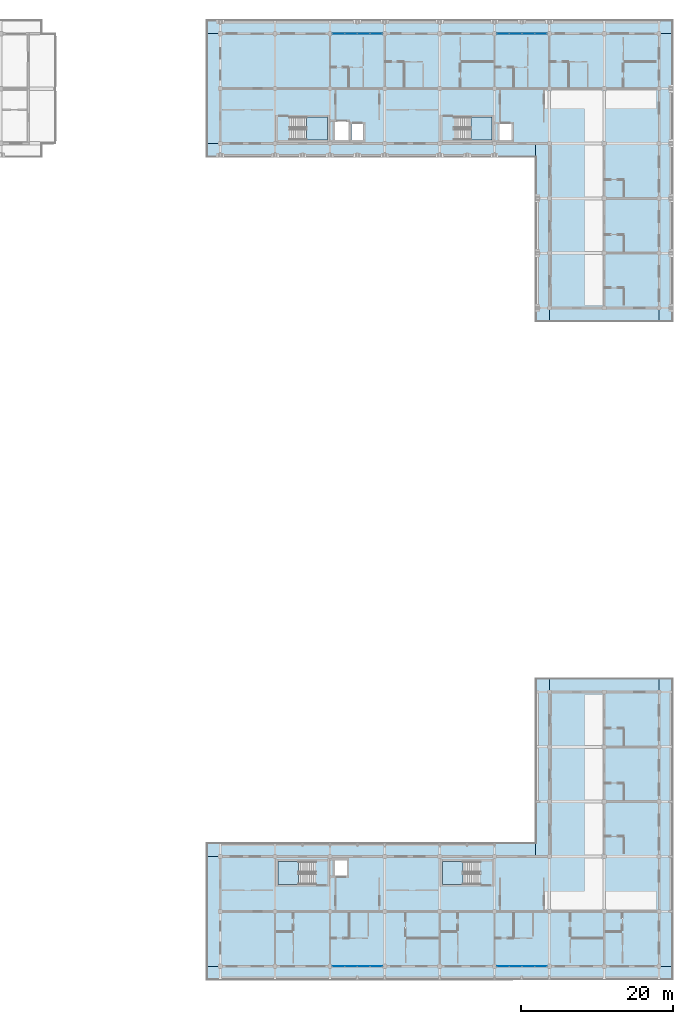
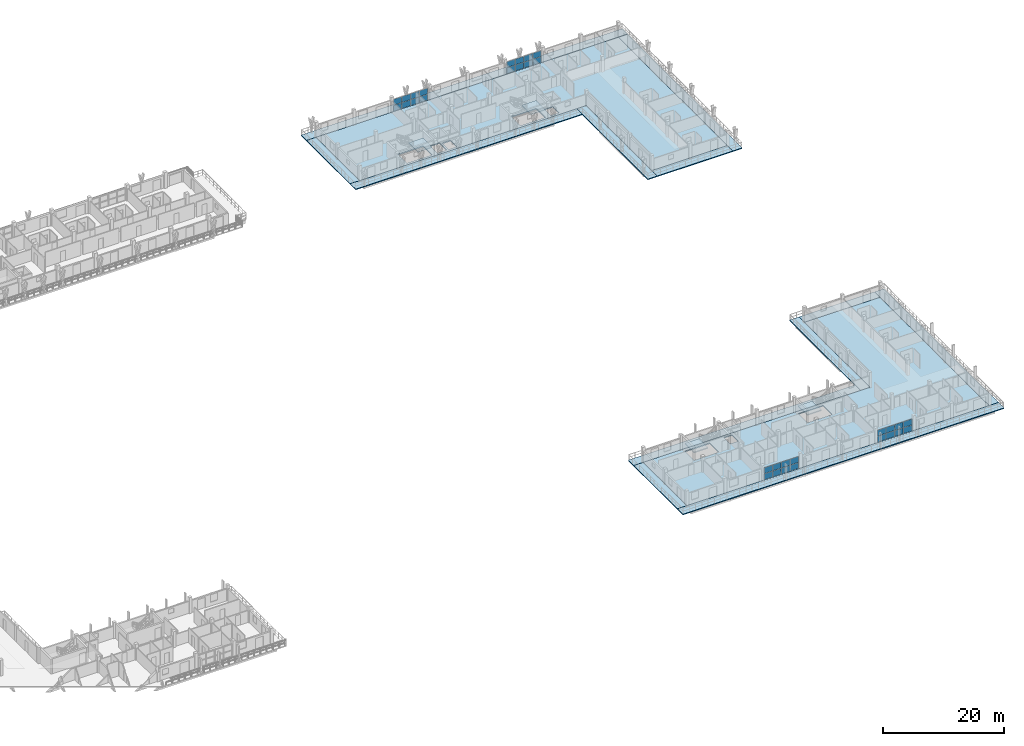
# One storey, part 31 of 67: 32 plates, 18 slabs, 8 elements without a shape of their own.
"""IFC4 building model written with IfcOpenShell, lengths in metres."""

from ifc_helpers import new_model, si_unit, direction, frame, origin, origin_2d, place, context, subcontext, project, spatial, polyline, rectangle, outline, extrude, material, layer, layer_set, type_object, element, aggregate, save


model = new_model("IFC4")

# Units and contexts
model_context = context("Model", 3, precision=1e-05, world=origin(), true_north=direction((0.0, 1.0)))
body_context = subcontext(model_context, "Body", "Model", "MODEL_VIEW")
ifc_project = project(units=[si_unit("LENGTHUNIT", "METRE"), si_unit("AREAUNIT", "SQUARE_METRE"), si_unit("VOLUMEUNIT", "CUBIC_METRE"), si_unit("PLANEANGLEUNIT", "RADIAN"), si_unit("MASSUNIT", "GRAM", prefix="KILO")], contexts=[model_context])

# Site, building, storey
site_placement = place(None, origin())
site = spatial("IfcSite", under=ifc_project, at=site_placement, CompositionType="ELEMENT")
building_placement = place(site_placement, origin())
building = spatial("IfcBuilding", under=site, at=building_placement, Name="Suanplinth Sawtooth Commons", CompositionType="ELEMENT")
storey_placement = place(building_placement, frame((0.0, 0.0, 25.10009765625)))
storey = spatial("IfcBuildingStorey", under=building, at=storey_placement, Name="L07", CompositionType="ELEMENT", Elevation=25.10009765625)

# Curtain wall, plates
ifc_material_1 = material(Name="Anodized aluminium and low-E glazing", Category="aluminium")
curtain_wall_type = type_object("IfcCurtainWallType", Name="CW-06", PredefinedType="USERDEFINED", material=ifc_material_1)
curtain_wall_1_placement = place(storey_placement, origin())
curtain_wall_1 = element("IfcCurtainWall", 1, at=curtain_wall_1_placement, inside=storey, type_object=curtain_wall_type, Name="Curtain Wall CW-L07-B-LOUNGE-20", ObjectType="CURTAIN WALL", PredefinedType="USERDEFINED")
ifc_material_2 = material(Name="Tempered low-E double glazing", Category="glass")
ifc_layer_1 = layer(ifc_material_2, 0.028076171875, Name="Vision low-E insulated glazing unit 28mm")
ifc_layer_set_1 = layer_set([ifc_layer_1], Name="Tempered low-E double glazing")
plate_type = type_object("IfcPlateType", Name="PL-05", PredefinedType="CURTAIN_PANEL", material=ifc_layer_set_1)
plate_1_placement = place(storey_placement, frame((145.12255859375, 122.39990234375, 0.06494140625), z_axis=(0.0, 0.0, 1.0), x_axis=(1.0, 0.0, 0.0)))
plate_1 = element("IfcPlate", 2, at=plate_1_placement, type_object=plate_type, Name="CW-06 panel 1.1", PredefinedType="CURTAIN_PANEL", context=body_context, shape_type="SweptSolid", body=[
    extrude(rectangle(XDim=1.56494140625, YDim=0.028076171875, at=origin_2d()), origin(), (0.0, 0.0, 1.0), 1.172607421875),
])
plate_2_placement = place(storey_placement, frame((145.12255859375, 122.39990234375, 1.30224609375), z_axis=(0.0, 0.0, 1.0), x_axis=(1.0, 0.0, 0.0)))
plate_2 = element("IfcPlate", 3, at=plate_2_placement, type_object=plate_type, Name="CW-06 panel 1.2", PredefinedType="CURTAIN_PANEL", context=body_context, shape_type="SweptSolid", body=[
    extrude(rectangle(XDim=1.56494140625, YDim=0.028076171875, at=origin_2d()), origin(), (0.0, 0.0, 1.0), 1.172607421875),
])
plate_3_placement = place(storey_placement, frame((146.768798828125, 122.39990234375, 0.06494140625), z_axis=(0.0, 0.0, 1.0), x_axis=(1.0, 0.0, 0.0)))
plate_3 = element("IfcPlate", 4, at=plate_3_placement, type_object=plate_type, Name="CW-06 panel 2.1", PredefinedType="CURTAIN_PANEL", context=body_context, shape_type="SweptSolid", body=[
    extrude(rectangle(XDim=1.597412109375, YDim=0.028076171875, at=origin_2d()), origin(), (0.0, 0.0, 1.0), 1.172607421875),
])
plate_4_placement = place(storey_placement, frame((146.768798828125, 122.39990234375, 1.30224609375), z_axis=(0.0, 0.0, 1.0), x_axis=(1.0, 0.0, 0.0)))
plate_4 = element("IfcPlate", 5, at=plate_4_placement, type_object=plate_type, Name="CW-06 panel 2.2", PredefinedType="CURTAIN_PANEL", context=body_context, shape_type="SweptSolid", body=[
    extrude(rectangle(XDim=1.597412109375, YDim=0.028076171875, at=origin_2d()), origin(), (0.0, 0.0, 1.0), 1.172607421875),
])
plate_5_placement = place(storey_placement, frame((148.43115234375, 122.39990234375, 0.06494140625), z_axis=(0.0, 0.0, 1.0), x_axis=(1.0, 0.0, 0.0)))
plate_5 = element("IfcPlate", 6, at=plate_5_placement, type_object=plate_type, Name="CW-06 panel 3.1", PredefinedType="CURTAIN_PANEL", context=body_context, shape_type="SweptSolid", body=[
    extrude(rectangle(XDim=1.597412109375, YDim=0.028076171875, at=origin_2d()), origin(), (0.0, 0.0, 1.0), 1.172607421875),
])
plate_6_placement = place(storey_placement, frame((148.43115234375, 122.39990234375, 1.30224609375), z_axis=(0.0, 0.0, 1.0), x_axis=(1.0, 0.0, 0.0)))
plate_6 = element("IfcPlate", 7, at=plate_6_placement, type_object=plate_type, Name="CW-06 panel 3.2", PredefinedType="CURTAIN_PANEL", context=body_context, shape_type="SweptSolid", body=[
    extrude(rectangle(XDim=1.597412109375, YDim=0.028076171875, at=origin_2d()), origin(), (0.0, 0.0, 1.0), 1.172607421875),
])
plate_7_placement = place(storey_placement, frame((150.077392578125, 122.39990234375, 0.06494140625), z_axis=(0.0, 0.0, 1.0), x_axis=(1.0, 0.0, 0.0)))
plate_7 = element("IfcPlate", 8, at=plate_7_placement, type_object=plate_type, Name="CW-06 panel 4.1", PredefinedType="CURTAIN_PANEL", context=body_context, shape_type="SweptSolid", body=[
    extrude(rectangle(XDim=1.56494140625, YDim=0.028076171875, at=origin_2d()), origin(), (0.0, 0.0, 1.0), 1.172607421875),
])
plate_8_placement = place(storey_placement, frame((150.077392578125, 122.39990234375, 1.30224609375), z_axis=(0.0, 0.0, 1.0), x_axis=(1.0, 0.0, 0.0)))
plate_8 = element("IfcPlate", 9, at=plate_8_placement, type_object=plate_type, Name="CW-06 panel 4.2", PredefinedType="CURTAIN_PANEL", context=body_context, shape_type="SweptSolid", body=[
    extrude(rectangle(XDim=1.56494140625, YDim=0.028076171875, at=origin_2d()), origin(), (0.0, 0.0, 1.0), 1.172607421875),
])
aggregate(curtain_wall_1, [plate_1, plate_2, plate_3, plate_4, plate_5, plate_6, plate_7, plate_8])

curtain_wall_2_placement = place(storey_placement, origin())
curtain_wall_2 = element("IfcCurtainWall", 10, at=curtain_wall_2_placement, inside=storey, type_object=curtain_wall_type, Name="Curtain Wall CW-L07-B-LOUNGE-23", ObjectType="CURTAIN WALL", PredefinedType="USERDEFINED")
plate_9_placement = place(storey_placement, frame((166.722412109375, 122.39990234375, 0.06494140625), z_axis=(0.0, 0.0, 1.0), x_axis=(1.0, 0.0, 0.0)))
plate_9 = element("IfcPlate", 11, at=plate_9_placement, type_object=plate_type, Name="CW-06 panel 1.1", PredefinedType="CURTAIN_PANEL", context=body_context, shape_type="SweptSolid", body=[
    extrude(rectangle(XDim=1.56494140625, YDim=0.028076171875, at=origin_2d()), origin(), (0.0, 0.0, 1.0), 1.172607421875),
])
plate_10_placement = place(storey_placement, frame((166.722412109375, 122.39990234375, 1.30224609375), z_axis=(0.0, 0.0, 1.0), x_axis=(1.0, 0.0, 0.0)))
plate_10 = element("IfcPlate", 12, at=plate_10_placement, type_object=plate_type, Name="CW-06 panel 1.2", PredefinedType="CURTAIN_PANEL", context=body_context, shape_type="SweptSolid", body=[
    extrude(rectangle(XDim=1.56494140625, YDim=0.028076171875, at=origin_2d()), origin(), (0.0, 0.0, 1.0), 1.172607421875),
])
plate_11_placement = place(storey_placement, frame((168.36865234375, 122.39990234375, 0.06494140625), z_axis=(0.0, 0.0, 1.0), x_axis=(1.0, 0.0, 0.0)))
plate_11 = element("IfcPlate", 13, at=plate_11_placement, type_object=plate_type, Name="CW-06 panel 2.1", PredefinedType="CURTAIN_PANEL", context=body_context, shape_type="SweptSolid", body=[
    extrude(rectangle(XDim=1.597412109375, YDim=0.028076171875, at=origin_2d()), origin(), (0.0, 0.0, 1.0), 1.172607421875),
])
plate_12_placement = place(storey_placement, frame((168.36865234375, 122.39990234375, 1.30224609375), z_axis=(0.0, 0.0, 1.0), x_axis=(1.0, 0.0, 0.0)))
plate_12 = element("IfcPlate", 14, at=plate_12_placement, type_object=plate_type, Name="CW-06 panel 2.2", PredefinedType="CURTAIN_PANEL", context=body_context, shape_type="SweptSolid", body=[
    extrude(rectangle(XDim=1.597412109375, YDim=0.028076171875, at=origin_2d()), origin(), (0.0, 0.0, 1.0), 1.172607421875),
])
plate_13_placement = place(storey_placement, frame((170.03125, 122.39990234375, 0.06494140625), z_axis=(0.0, 0.0, 1.0), x_axis=(1.0, 0.0, 0.0)))
plate_13 = element("IfcPlate", 15, at=plate_13_placement, type_object=plate_type, Name="CW-06 panel 3.1", PredefinedType="CURTAIN_PANEL", context=body_context, shape_type="SweptSolid", body=[
    extrude(rectangle(XDim=1.597412109375, YDim=0.028076171875, at=origin_2d()), origin(), (0.0, 0.0, 1.0), 1.172607421875),
])
plate_14_placement = place(storey_placement, frame((170.03125, 122.39990234375, 1.30224609375), z_axis=(0.0, 0.0, 1.0), x_axis=(1.0, 0.0, 0.0)))
plate_14 = element("IfcPlate", 16, at=plate_14_placement, type_object=plate_type, Name="CW-06 panel 3.2", PredefinedType="CURTAIN_PANEL", context=body_context, shape_type="SweptSolid", body=[
    extrude(rectangle(XDim=1.597412109375, YDim=0.028076171875, at=origin_2d()), origin(), (0.0, 0.0, 1.0), 1.172607421875),
])
plate_15_placement = place(storey_placement, frame((171.677490234375, 122.39990234375, 0.06494140625), z_axis=(0.0, 0.0, 1.0), x_axis=(1.0, 0.0, 0.0)))
plate_15 = element("IfcPlate", 17, at=plate_15_placement, type_object=plate_type, Name="CW-06 panel 4.1", PredefinedType="CURTAIN_PANEL", context=body_context, shape_type="SweptSolid", body=[
    extrude(rectangle(XDim=1.56494140625, YDim=0.028076171875, at=origin_2d()), origin(), (0.0, 0.0, 1.0), 1.172607421875),
])
plate_16_placement = place(storey_placement, frame((171.677490234375, 122.39990234375, 1.30224609375), z_axis=(0.0, 0.0, 1.0), x_axis=(1.0, 0.0, 0.0)))
plate_16 = element("IfcPlate", 18, at=plate_16_placement, type_object=plate_type, Name="CW-06 panel 4.2", PredefinedType="CURTAIN_PANEL", context=body_context, shape_type="SweptSolid", body=[
    extrude(rectangle(XDim=1.56494140625, YDim=0.028076171875, at=origin_2d()), origin(), (0.0, 0.0, 1.0), 1.172607421875),
])
aggregate(curtain_wall_2, [plate_9, plate_10, plate_11, plate_12, plate_13, plate_14, plate_15, plate_16])

curtain_wall_3_placement = place(storey_placement, origin())
curtain_wall_3 = element("IfcCurtainWall", 19, at=curtain_wall_3_placement, inside=storey, type_object=curtain_wall_type, Name="Curtain Wall CW-L07-C-LOUNGE-20", ObjectType="CURTAIN WALL", PredefinedType="USERDEFINED")
plate_17_placement = place(storey_placement, frame((145.12255859375, 0.0, 0.06494140625), z_axis=(0.0, 0.0, 1.0), x_axis=(1.0, 0.0, 0.0)))
plate_17 = element("IfcPlate", 20, at=plate_17_placement, type_object=plate_type, Name="CW-06 panel 1.1", PredefinedType="CURTAIN_PANEL", context=body_context, shape_type="SweptSolid", body=[
    extrude(rectangle(XDim=1.56494140625, YDim=0.028076171875, at=origin_2d()), origin(), (0.0, 0.0, 1.0), 1.172607421875),
])
plate_18_placement = place(storey_placement, frame((145.12255859375, 0.0, 1.30224609375), z_axis=(0.0, 0.0, 1.0), x_axis=(1.0, 0.0, 0.0)))
plate_18 = element("IfcPlate", 21, at=plate_18_placement, type_object=plate_type, Name="CW-06 panel 1.2", PredefinedType="CURTAIN_PANEL", context=body_context, shape_type="SweptSolid", body=[
    extrude(rectangle(XDim=1.56494140625, YDim=0.028076171875, at=origin_2d()), origin(), (0.0, 0.0, 1.0), 1.172607421875),
])
plate_19_placement = place(storey_placement, frame((146.768798828125, 0.0, 0.06494140625), z_axis=(0.0, 0.0, 1.0), x_axis=(1.0, 0.0, 0.0)))
plate_19 = element("IfcPlate", 22, at=plate_19_placement, type_object=plate_type, Name="CW-06 panel 2.1", PredefinedType="CURTAIN_PANEL", context=body_context, shape_type="SweptSolid", body=[
    extrude(rectangle(XDim=1.597412109375, YDim=0.028076171875, at=origin_2d()), origin(), (0.0, 0.0, 1.0), 1.172607421875),
])
plate_20_placement = place(storey_placement, frame((146.768798828125, 0.0, 1.30224609375), z_axis=(0.0, 0.0, 1.0), x_axis=(1.0, 0.0, 0.0)))
plate_20 = element("IfcPlate", 23, at=plate_20_placement, type_object=plate_type, Name="CW-06 panel 2.2", PredefinedType="CURTAIN_PANEL", context=body_context, shape_type="SweptSolid", body=[
    extrude(rectangle(XDim=1.597412109375, YDim=0.028076171875, at=origin_2d()), origin(), (0.0, 0.0, 1.0), 1.172607421875),
])
plate_21_placement = place(storey_placement, frame((148.43115234375, 0.0, 0.06494140625), z_axis=(0.0, 0.0, 1.0), x_axis=(1.0, 0.0, 0.0)))
plate_21 = element("IfcPlate", 24, at=plate_21_placement, type_object=plate_type, Name="CW-06 panel 3.1", PredefinedType="CURTAIN_PANEL", context=body_context, shape_type="SweptSolid", body=[
    extrude(rectangle(XDim=1.597412109375, YDim=0.028076171875, at=origin_2d()), origin(), (0.0, 0.0, 1.0), 1.172607421875),
])
plate_22_placement = place(storey_placement, frame((148.43115234375, 0.0, 1.30224609375), z_axis=(0.0, 0.0, 1.0), x_axis=(1.0, 0.0, 0.0)))
plate_22 = element("IfcPlate", 25, at=plate_22_placement, type_object=plate_type, Name="CW-06 panel 3.2", PredefinedType="CURTAIN_PANEL", context=body_context, shape_type="SweptSolid", body=[
    extrude(rectangle(XDim=1.597412109375, YDim=0.028076171875, at=origin_2d()), origin(), (0.0, 0.0, 1.0), 1.172607421875),
])
plate_23_placement = place(storey_placement, frame((150.077392578125, 0.0, 0.06494140625), z_axis=(0.0, 0.0, 1.0), x_axis=(1.0, 0.0, 0.0)))
plate_23 = element("IfcPlate", 26, at=plate_23_placement, type_object=plate_type, Name="CW-06 panel 4.1", PredefinedType="CURTAIN_PANEL", context=body_context, shape_type="SweptSolid", body=[
    extrude(rectangle(XDim=1.56494140625, YDim=0.028076171875, at=origin_2d()), origin(), (0.0, 0.0, 1.0), 1.172607421875),
])
plate_24_placement = place(storey_placement, frame((150.077392578125, 0.0, 1.30224609375), z_axis=(0.0, 0.0, 1.0), x_axis=(1.0, 0.0, 0.0)))
plate_24 = element("IfcPlate", 27, at=plate_24_placement, type_object=plate_type, Name="CW-06 panel 4.2", PredefinedType="CURTAIN_PANEL", context=body_context, shape_type="SweptSolid", body=[
    extrude(rectangle(XDim=1.56494140625, YDim=0.028076171875, at=origin_2d()), origin(), (0.0, 0.0, 1.0), 1.172607421875),
])
aggregate(curtain_wall_3, [plate_17, plate_18, plate_19, plate_20, plate_21, plate_22, plate_23, plate_24])

curtain_wall_4_placement = place(storey_placement, origin())
curtain_wall_4 = element("IfcCurtainWall", 28, at=curtain_wall_4_placement, inside=storey, type_object=curtain_wall_type, Name="Curtain Wall CW-L07-C-LOUNGE-23", ObjectType="CURTAIN WALL", PredefinedType="USERDEFINED")
plate_25_placement = place(storey_placement, frame((166.722412109375, 0.0, 0.06494140625), z_axis=(0.0, 0.0, 1.0), x_axis=(1.0, 0.0, 0.0)))
plate_25 = element("IfcPlate", 29, at=plate_25_placement, type_object=plate_type, Name="CW-06 panel 1.1", PredefinedType="CURTAIN_PANEL", context=body_context, shape_type="SweptSolid", body=[
    extrude(rectangle(XDim=1.56494140625, YDim=0.028076171875, at=origin_2d()), origin(), (0.0, 0.0, 1.0), 1.172607421875),
])
plate_26_placement = place(storey_placement, frame((166.722412109375, 0.0, 1.30224609375), z_axis=(0.0, 0.0, 1.0), x_axis=(1.0, 0.0, 0.0)))
plate_26 = element("IfcPlate", 30, at=plate_26_placement, type_object=plate_type, Name="CW-06 panel 1.2", PredefinedType="CURTAIN_PANEL", context=body_context, shape_type="SweptSolid", body=[
    extrude(rectangle(XDim=1.56494140625, YDim=0.028076171875, at=origin_2d()), origin(), (0.0, 0.0, 1.0), 1.172607421875),
])
plate_27_placement = place(storey_placement, frame((168.36865234375, 0.0, 0.06494140625), z_axis=(0.0, 0.0, 1.0), x_axis=(1.0, 0.0, 0.0)))
plate_27 = element("IfcPlate", 31, at=plate_27_placement, type_object=plate_type, Name="CW-06 panel 2.1", PredefinedType="CURTAIN_PANEL", context=body_context, shape_type="SweptSolid", body=[
    extrude(rectangle(XDim=1.597412109375, YDim=0.028076171875, at=origin_2d()), origin(), (0.0, 0.0, 1.0), 1.172607421875),
])
plate_28_placement = place(storey_placement, frame((168.36865234375, 0.0, 1.30224609375), z_axis=(0.0, 0.0, 1.0), x_axis=(1.0, 0.0, 0.0)))
plate_28 = element("IfcPlate", 32, at=plate_28_placement, type_object=plate_type, Name="CW-06 panel 2.2", PredefinedType="CURTAIN_PANEL", context=body_context, shape_type="SweptSolid", body=[
    extrude(rectangle(XDim=1.597412109375, YDim=0.028076171875, at=origin_2d()), origin(), (0.0, 0.0, 1.0), 1.172607421875),
])
plate_29_placement = place(storey_placement, frame((170.03125, 0.0, 0.06494140625), z_axis=(0.0, 0.0, 1.0), x_axis=(1.0, 0.0, 0.0)))
plate_29 = element("IfcPlate", 33, at=plate_29_placement, type_object=plate_type, Name="CW-06 panel 3.1", PredefinedType="CURTAIN_PANEL", context=body_context, shape_type="SweptSolid", body=[
    extrude(rectangle(XDim=1.597412109375, YDim=0.028076171875, at=origin_2d()), origin(), (0.0, 0.0, 1.0), 1.172607421875),
])
plate_30_placement = place(storey_placement, frame((170.03125, 0.0, 1.30224609375), z_axis=(0.0, 0.0, 1.0), x_axis=(1.0, 0.0, 0.0)))
plate_30 = element("IfcPlate", 34, at=plate_30_placement, type_object=plate_type, Name="CW-06 panel 3.2", PredefinedType="CURTAIN_PANEL", context=body_context, shape_type="SweptSolid", body=[
    extrude(rectangle(XDim=1.597412109375, YDim=0.028076171875, at=origin_2d()), origin(), (0.0, 0.0, 1.0), 1.172607421875),
])
plate_31_placement = place(storey_placement, frame((171.677490234375, 0.0, 0.06494140625), z_axis=(0.0, 0.0, 1.0), x_axis=(1.0, 0.0, 0.0)))
plate_31 = element("IfcPlate", 35, at=plate_31_placement, type_object=plate_type, Name="CW-06 panel 4.1", PredefinedType="CURTAIN_PANEL", context=body_context, shape_type="SweptSolid", body=[
    extrude(rectangle(XDim=1.56494140625, YDim=0.028076171875, at=origin_2d()), origin(), (0.0, 0.0, 1.0), 1.172607421875),
])
plate_32_placement = place(storey_placement, frame((171.677490234375, 0.0, 1.30224609375), z_axis=(0.0, 0.0, 1.0), x_axis=(1.0, 0.0, 0.0)))
plate_32 = element("IfcPlate", 36, at=plate_32_placement, type_object=plate_type, Name="CW-06 panel 4.2", PredefinedType="CURTAIN_PANEL", context=body_context, shape_type="SweptSolid", body=[
    extrude(rectangle(XDim=1.56494140625, YDim=0.028076171875, at=origin_2d()), origin(), (0.0, 0.0, 1.0), 1.172607421875),
])
aggregate(curtain_wall_4, [plate_25, plate_26, plate_27, plate_28, plate_29, plate_30, plate_31, plate_32])

# Slabs
ifc_material_3 = material(Name="Precast concrete C40/50", Category="concrete")
ifc_layer_2 = layer(ifc_material_3, 0.179931640625, Name="Wrap-around cantilevered precast balcony slab 180mm")
ifc_layer_set_2 = layer_set([ifc_layer_2], Name="Precast concrete C40/50")
slab_type_1 = type_object("IfcSlabType", Name="S-BL01", PredefinedType="FLOOR", material=ifc_layer_set_2)
slab_1_placement = place(storey_placement, frame((0.0, 0.0, -0.18017578125)))
element("IfcSlab", 37, at=slab_1_placement, inside=storey, type_object=slab_type_1, Name="L07 Block B Wrap-Around Balcony N", PredefinedType="FLOOR", context=body_context, shape_type="SweptSolid", body=[
    extrude(outline(polyline([(127.800048828125, 122.39990234375), (127.800048828125, 124.199951171875), (189.0, 124.199951171875), (189.0, 122.39990234375), (127.800048828125, 122.39990234375)])), origin(), (0.0, 0.0, 1.0), 0.18017578125),
])
slab_2_placement = place(storey_placement, frame((0.0, 0.0, -0.18017578125)))
element("IfcSlab", 38, at=slab_2_placement, inside=storey, type_object=slab_type_1, Name="L07 Block B Wrap-Around Balcony E", PredefinedType="FLOOR", context=body_context, shape_type="SweptSolid", body=[
    extrude(outline(polyline([(189.0, 122.39990234375), (189.0, 84.60009765625), (187.199951171875, 84.60009765625), (187.199951171875, 122.39990234375), (189.0, 122.39990234375)])), origin(), (0.0, 0.0, 1.0), 0.18017578125),
])
slab_3_placement = place(storey_placement, frame((0.0, 0.0, -0.18017578125)))
element("IfcSlab", 39, at=slab_3_placement, inside=storey, type_object=slab_type_1, Name="L07 Block B Wrap-Around Balcony WEND", PredefinedType="FLOOR", context=body_context, shape_type="SweptSolid", body=[
    extrude(outline(polyline([(129.60009765625, 108.0), (127.800048828125, 108.0), (127.800048828125, 122.39990234375), (129.60009765625, 122.39990234375), (129.60009765625, 108.0)])), origin(), (0.0, 0.0, 1.0), 0.18017578125),
])
slab_4_placement = place(storey_placement, frame((0.0, 0.0, -0.18017578125)))
element("IfcSlab", 40, at=slab_4_placement, inside=storey, type_object=slab_type_1, Name="L07 Block B Wrap-Around Balcony SEND", PredefinedType="FLOOR", context=body_context, shape_type="SweptSolid", body=[
    extrude(outline(polyline([(187.199951171875, 84.60009765625), (172.800048828125, 84.60009765625), (172.800048828125, 86.39990234375), (187.199951171875, 86.39990234375), (187.199951171875, 84.60009765625)])), origin(), (0.0, 0.0, 1.0), 0.18017578125),
])
slab_5_placement = place(storey_placement, frame((0.0, 0.0, -0.18017578125)))
element("IfcSlab", 41, at=slab_5_placement, inside=storey, type_object=slab_type_1, Name="L07 Block C Wrap-Around Balcony S", PredefinedType="FLOOR", context=body_context, shape_type="SweptSolid", body=[
    extrude(outline(polyline([(189.0, 0.0), (189.0, -1.800048828125), (127.800048828125, -1.800048828125), (127.800048828125, 0.0), (189.0, 0.0)])), origin(), (0.0, 0.0, 1.0), 0.18017578125),
])
slab_6_placement = place(storey_placement, frame((0.0, 0.0, -0.18017578125)))
element("IfcSlab", 42, at=slab_6_placement, inside=storey, type_object=slab_type_1, Name="L07 Block C Wrap-Around Balcony E", PredefinedType="FLOOR", context=body_context, shape_type="SweptSolid", body=[
    extrude(outline(polyline([(187.199951171875, 37.800048828125), (189.0, 37.800048828125), (189.0, 0.0), (187.199951171875, 0.0), (187.199951171875, 37.800048828125)])), origin(), (0.0, 0.0, 1.0), 0.18017578125),
])
slab_7_placement = place(storey_placement, frame((0.0, 0.0, -0.18017578125)))
element("IfcSlab", 43, at=slab_7_placement, inside=storey, type_object=slab_type_1, Name="L07 Block C Wrap-Around Balcony WEND", PredefinedType="FLOOR", context=body_context, shape_type="SweptSolid", body=[
    extrude(outline(polyline([(129.60009765625, 0.0), (127.800048828125, 0.0), (127.800048828125, 14.39990234375), (129.60009765625, 14.39990234375), (129.60009765625, 0.0)])), origin(), (0.0, 0.0, 1.0), 0.18017578125),
])
slab_8_placement = place(storey_placement, frame((0.0, 0.0, -0.18017578125)))
element("IfcSlab", 44, at=slab_8_placement, inside=storey, type_object=slab_type_1, Name="L07 Block C Wrap-Around Balcony NEND", PredefinedType="FLOOR", context=body_context, shape_type="SweptSolid", body=[
    extrude(outline(polyline([(172.800048828125, 37.800048828125), (187.199951171875, 37.800048828125), (187.199951171875, 36.0), (172.800048828125, 36.0), (172.800048828125, 37.800048828125)])), origin(), (0.0, 0.0, 1.0), 0.18017578125),
])
ifc_layer_3 = layer(ifc_material_3, 0.175048828125, Name="Courtyard cantilevered precast balcony slab 175mm")
ifc_layer_set_3 = layer_set([ifc_layer_3], Name="Precast concrete C40/50")
slab_type_2 = type_object("IfcSlabType", Name="S-BL02", PredefinedType="FLOOR", material=ifc_layer_set_3)
slab_9_placement = place(storey_placement, frame((0.0, 0.0, -0.175048828125)))
element("IfcSlab", 45, at=slab_9_placement, inside=storey, type_object=slab_type_2, Name="L07 Block B Wrap-Around Balcony SC", PredefinedType="FLOOR", context=body_context, shape_type="SweptSolid", body=[
    extrude(outline(polyline([(171.0, 106.199951171875), (127.800048828125, 106.199951171875), (127.800048828125, 108.0), (171.0, 108.0), (171.0, 106.199951171875)])), origin(), (0.0, 0.0, 1.0), 0.175048828125),
])
slab_10_placement = place(storey_placement, frame((0.0, 0.0, -0.175048828125)))
element("IfcSlab", 46, at=slab_10_placement, inside=storey, type_object=slab_type_2, Name="L07 Block B Wrap-Around Balcony WC", PredefinedType="FLOOR", context=body_context, shape_type="SweptSolid", body=[
    extrude(outline(polyline([(172.800048828125, 84.60009765625), (171.0, 84.60009765625), (171.0, 108.0), (172.800048828125, 108.0), (172.800048828125, 84.60009765625)])), origin(), (0.0, 0.0, 1.0), 0.175048828125),
])
slab_11_placement = place(storey_placement, frame((0.0, 0.0, -0.175048828125)))
element("IfcSlab", 47, at=slab_11_placement, inside=storey, type_object=slab_type_2, Name="L07 Block C Wrap-Around Balcony NC", PredefinedType="FLOOR", context=body_context, shape_type="SweptSolid", body=[
    extrude(outline(polyline([(127.800048828125, 14.39990234375), (127.800048828125, 16.199951171875), (171.0, 16.199951171875), (171.0, 14.39990234375), (127.800048828125, 14.39990234375)])), origin(), (0.0, 0.0, 1.0), 0.175048828125),
])
slab_12_placement = place(storey_placement, frame((0.0, 0.0, -0.175048828125)))
element("IfcSlab", 48, at=slab_12_placement, inside=storey, type_object=slab_type_2, Name="L07 Block C Wrap-Around Balcony WC", PredefinedType="FLOOR", context=body_context, shape_type="SweptSolid", body=[
    extrude(outline(polyline([(172.800048828125, 14.39990234375), (171.0, 14.39990234375), (171.0, 37.800048828125), (172.800048828125, 37.800048828125), (172.800048828125, 14.39990234375)])), origin(), (0.0, 0.0, 1.0), 0.175048828125),
])
ifc_layer_4 = layer(ifc_material_3, 0.219970703125, Name="Precast hollow-core + topping floor slab 220mm")
ifc_layer_set_4 = layer_set([ifc_layer_4], Name="Precast concrete C40/50")
slab_type_3 = type_object("IfcSlabType", Name="S-FL03", PredefinedType="FLOOR", material=ifc_layer_set_4)
slab_13_placement = place(storey_placement, frame((0.0, 0.0, -0.22021484375)))
element("IfcSlab", 49, at=slab_13_placement, inside=storey, type_object=slab_type_3, Name="L07 Block B Structural Floor Plate", PredefinedType="FLOOR", context=body_context, shape_type="SweptSolid", body=[
    extrude(outline(polyline([(172.800048828125, 108.0), (129.60009765625, 108.0), (129.60009765625, 122.39990234375), (187.199951171875, 122.39990234375), (187.199951171875, 86.39990234375), (172.800048828125, 86.39990234375), (172.800048828125, 108.0)]), holes=[polyline([(138.889892578125, 108.449951171875), (143.64990234375, 108.449951171875), (143.64990234375, 111.449951171875), (138.889892578125, 111.449951171875), (138.889892578125, 108.449951171875)]), polyline([(144.64990234375, 108.449951171875), (146.449951171875, 108.449951171875), (146.449951171875, 110.85009765625), (144.64990234375, 110.85009765625), (144.64990234375, 108.449951171875)]), polyline([(146.800048828125, 108.449951171875), (148.39990234375, 108.449951171875), (148.39990234375, 110.550048828125), (146.800048828125, 110.550048828125), (146.800048828125, 108.449951171875)]), polyline([(160.489990234375, 108.449951171875), (165.25, 108.449951171875), (165.25, 111.449951171875), (160.489990234375, 111.449951171875), (160.489990234375, 108.449951171875)]), polyline([(166.25, 108.449951171875), (167.85009765625, 108.449951171875), (167.85009765625, 110.550048828125), (166.25, 110.550048828125), (166.25, 108.449951171875)])]), origin(), (0.0, 0.0, 1.0), 0.22021484375),
])
slab_14_placement = place(storey_placement, frame((0.0, 0.0, -0.22021484375)))
element("IfcSlab", 50, at=slab_14_placement, inside=storey, type_object=slab_type_3, Name="L07 Block C Structural Floor Plate", PredefinedType="FLOOR", context=body_context, shape_type="SweptSolid", body=[
    extrude(outline(polyline([(187.199951171875, 0.0), (129.60009765625, 0.0), (129.60009765625, 14.39990234375), (172.800048828125, 14.39990234375), (172.800048828125, 36.0), (187.199951171875, 36.0), (187.199951171875, 0.0)]), holes=[polyline([(137.14990234375, 10.75), (141.909912109375, 10.75), (141.909912109375, 13.75), (137.14990234375, 13.75), (137.14990234375, 10.75)]), polyline([(144.64990234375, 11.85009765625), (146.25, 11.85009765625), (146.25, 13.949951171875), (144.64990234375, 13.949951171875), (144.64990234375, 11.85009765625)]), polyline([(158.75, 10.75), (163.510009765625, 10.75), (163.510009765625, 13.75), (158.75, 13.75), (158.75, 10.75)])]), origin(), (0.0, 0.0, 1.0), 0.22021484375),
])

# Stair, slab
ifc_material_4 = material(Name="Concrete C40/50", Category="concrete")
stair_type = type_object("IfcStairType", Name="ST-07", PredefinedType="USERDEFINED", material=ifc_material_4)
stair_1_placement = place(storey_placement, origin())
stair_1 = element("IfcStair", 51, at=stair_1_placement, inside=storey, type_object=stair_type, Name="L07 Exit Stair ST-E1", ObjectType="TWO_RETURN_STAIR", PredefinedType="USERDEFINED")
ifc_layer_5 = layer(ifc_material_4, 0.199951171875, Name="Reinforced concrete stair and ramp landing slab 200mm")
ifc_layer_set_5 = layer_set([ifc_layer_5], Name="Concrete C40/50")
slab_type_4 = type_object("IfcSlabType", Name="S-LD01", PredefinedType="LANDING", material=ifc_layer_set_5)
slab_15_placement = place(storey_placement, frame((0.0, 0.0, 1.39990234375)))
slab_15 = element("IfcSlab", 52, at=slab_15_placement, type_object=slab_type_4, Name="ST-07 landing 1", PredefinedType="LANDING", context=body_context, shape_type="SweptSolid", body=[
    extrude(outline(polyline([(140.929931640625, 108.449951171875), (143.64990234375, 108.449951171875), (143.64990234375, 111.449951171875), (140.929931640625, 111.449951171875), (140.929931640625, 108.449951171875)])), origin(), (0.0, 0.0, 1.0), 0.199951171875),
])
aggregate(stair_1, [slab_15])

stair_2_placement = place(storey_placement, origin())
stair_2 = element("IfcStair", 53, at=stair_2_placement, inside=storey, type_object=stair_type, Name="L07 Exit Stair ST-E2", ObjectType="TWO_RETURN_STAIR", PredefinedType="USERDEFINED")
slab_16_placement = place(storey_placement, frame((0.0, 0.0, 1.39990234375)))
slab_16 = element("IfcSlab", 54, at=slab_16_placement, type_object=slab_type_4, Name="ST-07 landing 1", PredefinedType="LANDING", context=body_context, shape_type="SweptSolid", body=[
    extrude(outline(polyline([(162.530029296875, 108.449951171875), (165.25, 108.449951171875), (165.25, 111.449951171875), (162.530029296875, 111.449951171875), (162.530029296875, 108.449951171875)])), origin(), (0.0, 0.0, 1.0), 0.199951171875),
])
aggregate(stair_2, [slab_16])

stair_3_placement = place(storey_placement, origin())
stair_3 = element("IfcStair", 55, at=stair_3_placement, inside=storey, type_object=stair_type, Name="L07 Exit Stair ST-S1", ObjectType="TWO_RETURN_STAIR", PredefinedType="USERDEFINED")
slab_17_placement = place(storey_placement, frame((0.0, 0.0, 1.39990234375)))
slab_17 = element("IfcSlab", 56, at=slab_17_placement, type_object=slab_type_4, Name="ST-07 landing 1", PredefinedType="LANDING", context=body_context, shape_type="SweptSolid", body=[
    extrude(outline(polyline([(139.8701171875, 13.75), (137.14990234375, 13.75), (137.14990234375, 10.75), (139.8701171875, 10.75), (139.8701171875, 13.75)])), origin(), (0.0, 0.0, 1.0), 0.199951171875),
])
aggregate(stair_3, [slab_17])

stair_4_placement = place(storey_placement, origin())
stair_4 = element("IfcStair", 57, at=stair_4_placement, inside=storey, type_object=stair_type, Name="L07 Exit Stair ST-S2", ObjectType="TWO_RETURN_STAIR", PredefinedType="USERDEFINED")
slab_18_placement = place(storey_placement, frame((0.0, 0.0, 1.39990234375)))
slab_18 = element("IfcSlab", 58, at=slab_18_placement, type_object=slab_type_4, Name="ST-07 landing 1", PredefinedType="LANDING", context=body_context, shape_type="SweptSolid", body=[
    extrude(outline(polyline([(161.469970703125, 13.75), (158.75, 13.75), (158.75, 10.75), (161.469970703125, 10.75), (161.469970703125, 13.75)])), origin(), (0.0, 0.0, 1.0), 0.199951171875),
])
aggregate(stair_4, [slab_18])

save(model, "model.ifc")
